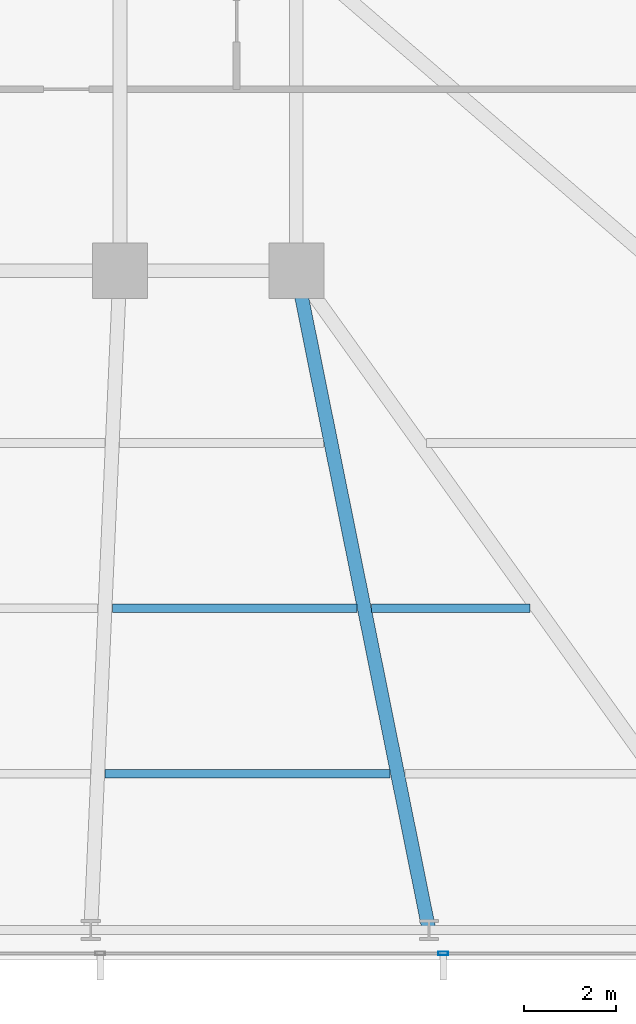
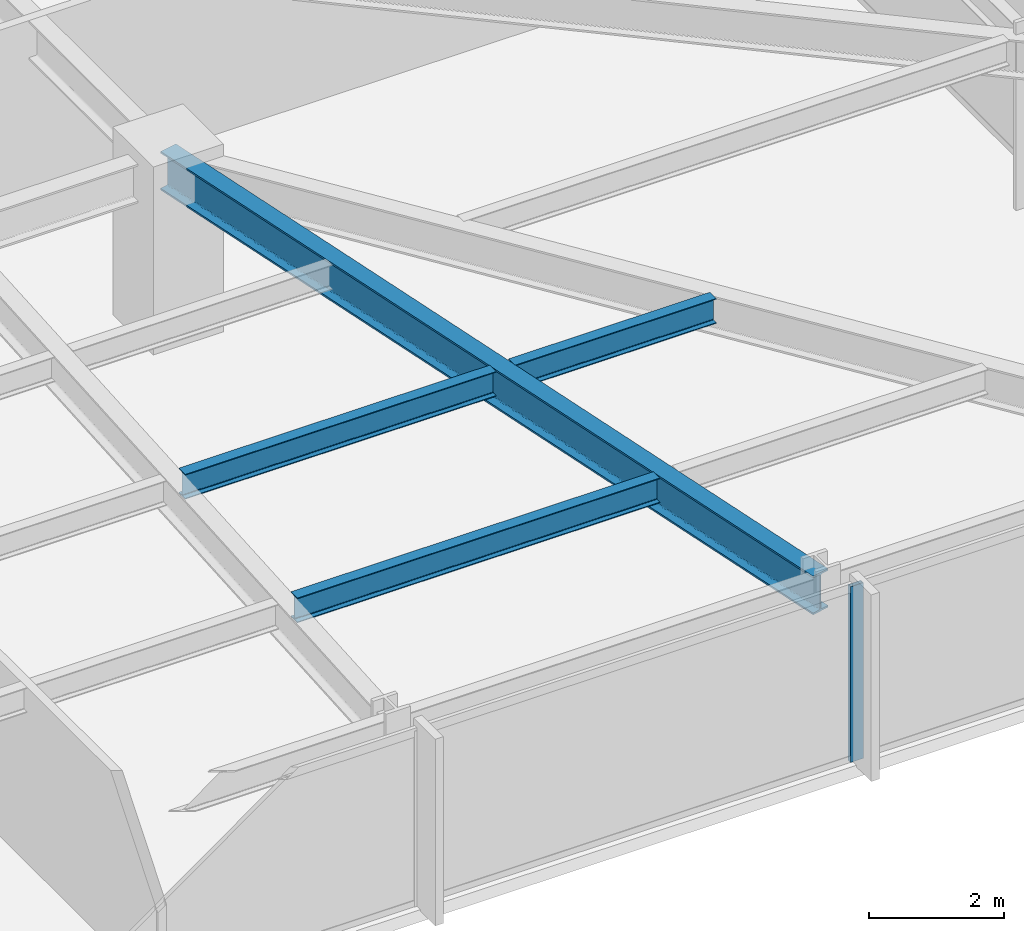
# One storey, part 14 of 33: 4 beams, 1 member, 1 element without a shape of its own.
"""IFC4 building model written with IfcOpenShell, lengths in metres."""

from ifc_helpers import new_model, si_unit, direction, frame, origin, origin_2d, place, context, subcontext, project, spatial, hollow_rectangle, i_section, extrude, material, material_profile, profile_set, type_object, element, aggregate, save


model = new_model("IFC4")

# Units and contexts
model_context = context("Model", 3, precision=1e-05, world=origin(), true_north=direction((0.0, 1.0)))
body_context = subcontext(model_context, "Body", "Model", "MODEL_VIEW")
ifc_project = project(units=[si_unit("LENGTHUNIT", "METRE"), si_unit("AREAUNIT", "SQUARE_METRE"), si_unit("VOLUMEUNIT", "CUBIC_METRE"), si_unit("PLANEANGLEUNIT", "RADIAN"), si_unit("MASSUNIT", "GRAM", prefix="KILO")], contexts=[model_context])

# Site, building, storey
site_placement = place(None, origin())
site = spatial("IfcSite", under=ifc_project, at=site_placement, CompositionType="ELEMENT")
building_placement = place(site_placement, origin())
building = spatial("IfcBuilding", under=site, at=building_placement, Name="Yelkora Congress Tower", CompositionType="ELEMENT")
storey_placement = place(building_placement, frame((0.0, 0.0, 64.39990234375)))
storey = spatial("IfcBuildingStorey", under=building, at=storey_placement, Name="L16", CompositionType="ELEMENT", Elevation=64.39990234375)

# Beams
ifc_material_1 = material(Name="Steel S355J2", Category="steel")
ifc_material_profile_1 = material_profile(ifc_material_1, i_section(OverallWidth=0.300048828125, OverallDepth=0.699951171875, WebThickness=0.01708984375, FlangeThickness=0.031982421875, FilletRadius=0.027099609375, at=origin_2d()), Name="HEB 700")
ifc_profile_set_1 = profile_set([ifc_material_profile_1], Name="Steel S355J2")
beam_type_1 = type_object("IfcBeamType", Name="BM-GIRD-HEB700", PredefinedType="BEAM", material=ifc_profile_set_1)
beam_1_placement = place(storey_placement, frame((60.487548828125, 10.85009765625, 2.830078125), z_axis=(-0.197264295931, 0.980350344291, 0.0), x_axis=(-0.980350344291, -0.197264295931, 0.0)))
element("IfcBeam", 1, at=beam_1_placement, inside=storey, type_object=beam_type_1, Name="L16 Primary Frame Girder S08", PredefinedType="BEAM", context=body_context, shape_type="SweptSolid", body=[
    extrude(i_section(OverallWidth=0.300048828125, OverallDepth=0.699951171875, WebThickness=0.01708984375, FlangeThickness=0.031982421875, FilletRadius=0.027099609375, at=origin_2d()), origin(), (0.0, 0.0, 1.0), 14.637451171875),
])
ifc_material_profile_2 = material_profile(ifc_material_1, i_section(OverallWidth=0.18994140625, OverallDepth=0.449951171875, WebThickness=0.009521484375, FlangeThickness=0.0146484375, FilletRadius=0.02099609375, at=origin_2d()), Name="IPE 450")
ifc_profile_set_2 = profile_set([ifc_material_profile_2], Name="Steel S355J2")
beam_type_2 = type_object("IfcBeamType", Name="BM-JOIST-IPE450", PredefinedType="JOIST", material=ifc_profile_set_2)
beam_2_placement = place(storey_placement, frame((53.435546875, 14.25, 2.955078125), z_axis=(1.0, 0.0, 0.0), x_axis=(0.0, 1.0, 0.0)))
element("IfcBeam", 2, at=beam_2_placement, inside=storey, type_object=beam_type_2, Name="L16 Composite Floor Joist 7", PredefinedType="JOIST", context=body_context, shape_type="SweptSolid", body=[
    extrude(i_section(OverallWidth=0.18994140625, OverallDepth=0.449951171875, WebThickness=0.009521484375, FlangeThickness=0.0146484375, FilletRadius=0.02099609375, at=origin_2d()), origin(), (0.0, 0.0, 1.0), 6.207763671875),
])
beam_3_placement = place(storey_placement, frame((53.5947265625, 17.85009765625, 2.955078125), z_axis=(1.0, 0.0, 0.0), x_axis=(0.0, 1.0, 0.0)))
element("IfcBeam", 3, at=beam_3_placement, inside=storey, type_object=beam_type_2, Name="L16 Composite Floor Joist 15", PredefinedType="JOIST", context=body_context, shape_type="SweptSolid", body=[
    extrude(i_section(OverallWidth=0.18994140625, OverallDepth=0.449951171875, WebThickness=0.009521484375, FlangeThickness=0.0146484375, FilletRadius=0.02099609375, at=origin_2d()), origin(), (0.0, 0.0, 1.0), 5.32421875),
])
beam_4_placement = place(storey_placement, frame((59.239013671875, 17.85009765625, 2.955078125), z_axis=(1.0, 0.0, 0.0), x_axis=(0.0, 1.0, 0.0)))
element("IfcBeam", 4, at=beam_4_placement, inside=storey, type_object=beam_type_2, Name="L16 Composite Floor Joist 16", PredefinedType="JOIST", context=body_context, shape_type="SweptSolid", body=[
    extrude(i_section(OverallWidth=0.18994140625, OverallDepth=0.449951171875, WebThickness=0.009521484375, FlangeThickness=0.0146484375, FilletRadius=0.02099609375, at=origin_2d()), origin(), (0.0, 0.0, 1.0), 3.450927734375),
])

# Curtain wall, member
ifc_material_2 = material(Name="Anodised aluminium and insulated glass", Category="aluminium")
curtain_wall_type = type_object("IfcCurtainWallType", Name="CW-SYS-B1", PredefinedType="NOTDEFINED", material=ifc_material_2)
curtain_wall_placement = place(storey_placement, origin())
curtain_wall = element("IfcCurtainWall", 5, at=curtain_wall_placement, inside=storey, type_object=curtain_wall_type, Name="L16 Unitised Curtain Wall 20", PredefinedType="NOTDEFINED")
ifc_material_3 = material(Name="Anodised aluminium 6063-T6", Category="aluminium")
ifc_material_profile_3 = material_profile(ifc_material_3, hollow_rectangle(XDim=0.074951171875, YDim=0.219970703125, WallThickness=0.0048828125, at=origin_2d()), Name="ALU 75x220x5")
ifc_profile_set_3 = profile_set([ifc_material_profile_3], Name="Anodised aluminium 6063-T6")
member_type = type_object("IfcMemberType", Name="MEM-ML-B1", PredefinedType="MULLION", material=ifc_profile_set_3)
member_placement = place(storey_placement, frame((60.794921875, 10.340087890625, 0.0), z_axis=(0.0, 0.0, 1.0), x_axis=(0.0, -1.0, 0.0)))
member = element("IfcMember", 6, at=member_placement, type_object=member_type, Name="CW-B1 mullion 2", PredefinedType="MULLION", context=body_context, shape_type="SweptSolid", body=[
    extrude(hollow_rectangle(XDim=0.074951171875, YDim=0.219970703125, WallThickness=0.0048828125, at=origin_2d()), origin(), (0.0, 0.0, 1.0), 3.18017578125),
])
aggregate(curtain_wall, [member])

save(model, "model.ifc")
